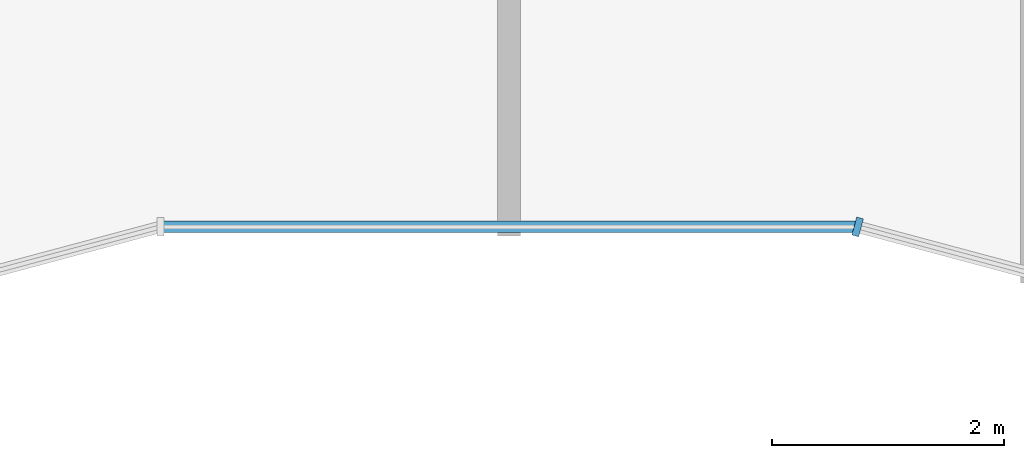
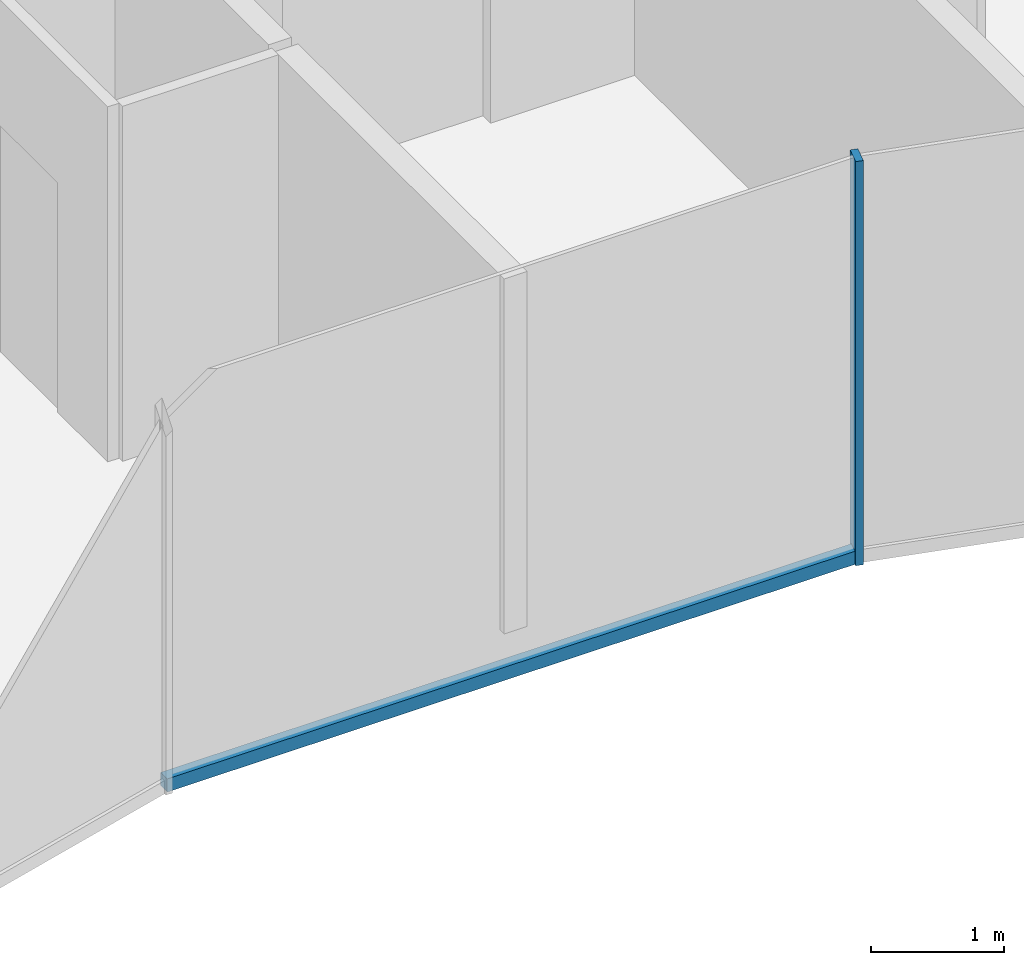
# One storey, part 3 of 13: 2 members, 2 elements without a shape of their own.
"""IFC4 building model written with IfcOpenShell, lengths in metres."""

import ifcopenshell
import ifcopenshell.guid

model = None  # the IFC model being written
_history = None  # IfcOwnerHistory: only IFC2X3 demands one
_inside = {}  # id of a spatial element -> (the spatial element, [elements in it])
_under = {}  # id of a project, library or spatial element -> (it, [spatial elements below it])
_declared = {}  # id of a project -> (the project, [libraries it declares])
_typed = {}  # id of a type object -> (the type object, [elements of that type])
_made_of = {}  # id of a material, layer set ... -> (it, [elements and type objects made of it])


def new_model(schema):
    """Start an empty IFC model of exactly this schema.

    Asked for "IFC4X3", IfcOpenShell would pick the latest addendum, in which some entities
    have other attributes; the version numbers below select the first issue.
    IFC2X3 requires an IfcOwnerHistory on every rooted entity: one is made here for all.
    """
    global model, _history
    if schema == "IFC4X3":
        model = ifcopenshell.file(schema_version=(4, 3, 0, 0))
    else:
        model = ifcopenshell.file(schema=schema)
    _inside.clear()
    _under.clear()
    _declared.clear()
    _typed.clear()
    _made_of.clear()
    _history = None
    if model.schema == "IFC2X3":
        org = make("IfcOrganization", Name="unknown")
        user = make(
            "IfcPersonAndOrganization",
            ThePerson=make("IfcPerson", FamilyName="unknown"),
            TheOrganization=org,
        )
        app = make(
            "IfcApplication",
            ApplicationDeveloper=org,
            Version="unknown",
            ApplicationFullName="unknown",
            ApplicationIdentifier="unknown",
        )
        _history = make(
            "IfcOwnerHistory",
            OwningUser=user,
            OwningApplication=app,
            ChangeAction="ADDED",
            CreationDate=0,
        )
    return model


def make(cls, **values):
    """One entity of the class cls with the attributes given. An attribute that is None is left unset."""
    return model.create_entity(
        cls, **{name: value for name, value in values.items() if value is not None}
    )


def rooted(cls, **values):
    """An entity with a GlobalId (a new one), such as an element, a storey or a relation."""
    return make(cls, GlobalId=ifcopenshell.guid.new(), OwnerHistory=_history, **values)


def si_unit(unit_type, name, prefix=None):
    """IfcSIUnit, for example si_unit("LENGTHUNIT", "METRE", prefix="MILLI")."""
    return make("IfcSIUnit", UnitType=unit_type, Prefix=prefix, Name=name)


def assignment(units):
    """IfcUnitAssignment: the units of a project."""
    return None if units is None else make("IfcUnitAssignment", Units=units)


def point(xyz):
    """IfcCartesianPoint."""
    return None if xyz is None else make("IfcCartesianPoint", Coordinates=xyz)


def direction(xyz):
    """IfcDirection."""
    return None if xyz is None else make("IfcDirection", DirectionRatios=xyz)


def frame(location, z_axis=None, x_axis=None):
    """IfcAxis2Placement3D, a coordinate frame: its origin and axes. An axis left out is left unset."""
    return make(
        "IfcAxis2Placement3D",
        Location=point(location),
        Axis=direction(z_axis),
        RefDirection=direction(x_axis),
    )


def frame_2d(location, x_axis=None):
    """IfcAxis2Placement2D, a coordinate frame in the plane: its origin and x axis."""
    return make(
        "IfcAxis2Placement2D", Location=point(location), RefDirection=direction(x_axis)
    )


def origin():
    """The frame at (0, 0, 0) with its axes left unset."""
    return frame((0.0, 0.0, 0.0))


def origin_2d():
    """The frame at (0, 0) in the plane with its x axis left unset."""
    return frame_2d((0.0, 0.0))


def place(relative_to, where):
    """IfcLocalPlacement: puts the frame where relative to a parent placement (None: the world)."""
    return make(
        "IfcLocalPlacement", PlacementRelTo=relative_to, RelativePlacement=where
    )


def context(
    kind, dimensions, precision=None, world=None, true_north=None, identifier=None
):
    """IfcGeometricRepresentationContext, for example the 3D "Model" context."""
    return make(
        "IfcGeometricRepresentationContext",
        ContextIdentifier=identifier,
        ContextType=kind,
        CoordinateSpaceDimension=dimensions,
        Precision=precision,
        WorldCoordinateSystem=world,
        TrueNorth=true_north,
    )


def subcontext(parent, identifier, kind, view, scale=None):
    """IfcGeometricRepresentationSubContext, for example "Body" below "Model"."""
    return make(
        "IfcGeometricRepresentationSubContext",
        ContextIdentifier=identifier,
        ContextType=kind,
        ParentContext=parent,
        TargetScale=scale,
        TargetView=view,
    )


def project(units=None, contexts=None):
    """IfcProject with its units and contexts."""
    return rooted(
        "IfcProject",
        Name="project",
        RepresentationContexts=contexts,
        UnitsInContext=assignment(units),
    )


def spatial(cls, under=None, at=None, **own):
    """A site, building, storey or space (cls), placed at a placement, below another one or the project."""
    s = rooted(cls, ObjectPlacement=at, **own)
    if under is not None:
        _under.setdefault(under.id(), (under, []))[1].append(s)
    return s


def profile(cls, at=None, kind="AREA", **sizes):
    """A parametric profile (cls). Its sizes go by their IFC names, for example OverallWidth=200.0."""
    return make(cls, ProfileType=kind, Position=at, **sizes)


def rectangle(**sizes):
    """IfcRectangleProfileDef."""
    return profile("IfcRectangleProfileDef", **sizes)


def extrude(swept, where, along, depth):
    """IfcExtrudedAreaSolid: the profile swept, set in the frame where, extruded along a direction by depth."""
    return make(
        "IfcExtrudedAreaSolid",
        SweptArea=swept,
        Position=where,
        ExtrudedDirection=direction(along),
        Depth=depth,
    )


def shape(context_of_items, identifier, shape_type, items):
    """IfcShapeRepresentation: the items that make up one representation, for example the "Body"."""
    return make(
        "IfcShapeRepresentation",
        ContextOfItems=context_of_items,
        RepresentationIdentifier=identifier,
        RepresentationType=shape_type,
        Items=items,
    )


def material(Name=None, Category=None):
    """IfcMaterial."""
    return make("IfcMaterial", Name=Name, Category=Category)


def layer(
    of_material, thickness, ventilated=None, Name=None, Category=None, Priority=None
):
    """IfcMaterialLayer: one layer of a wall or slab, of a material (None: an air gap)."""
    return make(
        "IfcMaterialLayer",
        Material=of_material,
        LayerThickness=thickness,
        IsVentilated=ventilated,
        Name=Name,
        Category=Category,
        Priority=Priority,
    )


def layer_set(layers, Name=None):
    """IfcMaterialLayerSet."""
    return make("IfcMaterialLayerSet", MaterialLayers=layers, LayerSetName=Name)


def material_profile(
    of_material, cross_section, Name=None, Category=None, Priority=None
):
    """IfcMaterialProfile: a cross section and its material."""
    return make(
        "IfcMaterialProfile",
        Name=Name,
        Material=of_material,
        Profile=cross_section,
        Priority=Priority,
        Category=Category,
    )


def profile_set(profiles, Name=None, composite=None):
    """IfcMaterialProfileSet."""
    return make(
        "IfcMaterialProfileSet",
        Name=Name,
        MaterialProfiles=profiles,
        CompositeProfile=composite,
    )


def made_of(thing, what):
    """Note that an element or type object is made of a material, layer set ...; save() writes the relation."""
    if what is not None:
        _made_of.setdefault(what.id(), (what, []))[1].append(thing)
    return thing


def type_object(cls, material=None, **own):
    """A type object (cls), such as IfcWallType, which elements share."""
    return made_of(rooted(cls, **own), material)


def element(
    cls,
    number,
    at=None,
    inside=None,
    cuts=None,
    type_object=None,
    material=None,
    context=None,
    identifier="Body",
    shape_type=None,
    held_by="IfcProductDefinitionShape",
    body=None,
    shapes=None,
    **own,
):
    """One element of the class cls, such as IfcWall. Its Tag is "e" and its number.

    at: its placement. inside: the storey or other place that contains it. cuts: it is an
    opening in that element (IfcRelVoidsElement). A single representation is given by context,
    identifier, shape_type and body (its items); several are given by shapes. held_by: the class
    of the entity that holds the representations. save() writes the other relations.
    """
    e = rooted(cls, Tag="e%d" % number, ObjectPlacement=at, **own)
    if body is not None:
        shapes = [shape(context, identifier, shape_type, body)]
    if shapes is not None:
        e.Representation = make(held_by, Representations=shapes)
    if inside is not None:
        _inside.setdefault(inside.id(), (inside, []))[1].append(e)
    if cuts is not None:
        rooted(
            "IfcRelVoidsElement", RelatingBuildingElement=cuts, RelatedOpeningElement=e
        )
    if type_object is not None:
        _typed.setdefault(type_object.id(), (type_object, []))[1].append(e)
    return made_of(e, material)


def aggregate(whole, parts):
    """IfcRelAggregates: a whole, such as a stair, and the parts it consists of."""
    return rooted("IfcRelAggregates", RelatingObject=whole, RelatedObjects=parts)


def save(model, path):
    """Write the relations noted so far, then the file.

    IfcRelAggregates (storeys below a building ...), IfcRelContainedInSpatialStructure (elements
    in a storey), IfcRelDefinesByType, IfcRelAssociatesMaterial and IfcRelDeclares: one each for
    every whole, place, type object, material and project.
    """
    for whole, parts in _under.values():
        aggregate(whole, parts)
    for where, things in _inside.values():
        rooted(
            "IfcRelContainedInSpatialStructure",
            RelatedElements=things,
            RelatingStructure=where,
        )
    for kind, things in _typed.values():
        rooted("IfcRelDefinesByType", RelatedObjects=things, RelatingType=kind)
    for what, things in _made_of.values():
        rooted("IfcRelAssociatesMaterial", RelatedObjects=things, RelatingMaterial=what)
    for by, libraries in _declared.values():
        rooted("IfcRelDeclares", RelatingContext=by, RelatedDefinitions=libraries)
    model.write(path)


model = new_model("IFC4")

# Units and contexts
model_context = context("Model", 3, precision=1e-05, world=origin(), true_north=direction((0.0, 1.0)))
body_context = subcontext(model_context, "Body", "Model", "MODEL_VIEW")
ifc_project = project(units=[si_unit("LENGTHUNIT", "METRE"), si_unit("AREAUNIT", "SQUARE_METRE"), si_unit("VOLUMEUNIT", "CUBIC_METRE"), si_unit("PLANEANGLEUNIT", "RADIAN"), si_unit("MASSUNIT", "GRAM", prefix="KILO")], contexts=[model_context])

# Site, building, storey
site_placement = place(None, origin())
site = spatial("IfcSite", under=ifc_project, at=site_placement, CompositionType="ELEMENT")
building_placement = place(site_placement, origin())
building = spatial("IfcBuilding", under=site, at=building_placement, Name="Plateau Cross Towers", CompositionType="ELEMENT")
storey_placement = place(building_placement, frame((0.0, 0.0, 229.39990234375)))
storey = spatial("IfcBuildingStorey", under=building, at=storey_placement, Name="L60", CompositionType="ELEMENT", Elevation=229.39990234375)

# Curtain wall, member
ifc_material_1 = material(Name="Dark low-iron glass", Category="glass")
ifc_layer = layer(ifc_material_1, 0.260009765625)
ifc_layer_set = layer_set([ifc_layer], Name="Dark low-iron glass")
curtain_wall_type = type_object("IfcCurtainWallType", Name="Curtain wall fluted unitised CW-A", PredefinedType="NOTDEFINED", material=ifc_layer_set)
curtain_wall_1_placement = place(storey_placement, origin())
curtain_wall_1 = element("IfcCurtainWall", 1, at=curtain_wall_1_placement, inside=storey, type_object=curtain_wall_type, Name="ENV/A/L60/A300_16", PredefinedType="NOTDEFINED")
ifc_material_2 = material(Name="Black anodised aluminium", Category="aluminium")
ifc_material_profile_1 = material_profile(ifc_material_2, rectangle(XDim=0.06005859375, YDim=0.159912109375, at=origin_2d()), Name="MULLION 60x160")
ifc_profile_set_1 = profile_set([ifc_material_profile_1], Name="Black anodised aluminium")
member_type_1 = type_object("IfcMemberType", Name="Mullion 60x160 fluted unitised", PredefinedType="MULLION", material=ifc_profile_set_1)
member_1_placement = place(storey_placement, frame((30.0, 1.60693359375, -0.449951171875), z_axis=(0.0, 0.0, 1.0), x_axis=(0.965957983404, -0.258699003279, 0.0)))
member_1 = element("IfcMember", 2, at=member_1_placement, type_object=member_type_1, Name="CW-A mullion 1", PredefinedType="MULLION", context=body_context, shape_type="SweptSolid", body=[
    extrude(rectangle(XDim=0.06005859375, YDim=0.159912109375, at=origin_2d()), origin(), (0.0, 0.0, 1.0), 3.699951171875),
])
aggregate(curtain_wall_1, [member_1])

curtain_wall_2_placement = place(storey_placement, origin())
curtain_wall_2 = element("IfcCurtainWall", 3, at=curtain_wall_2_placement, inside=storey, type_object=curtain_wall_type, Name="ENV/A/L60/A240_16", PredefinedType="NOTDEFINED")
ifc_material_profile_2 = material_profile(ifc_material_2, rectangle(XDim=0.10009765625, YDim=0.1201171875, at=origin_2d()), Name="TRANSOM 100x120")
ifc_profile_set_2 = profile_set([ifc_material_profile_2], Name="Black anodised aluminium")
member_type_2 = type_object("IfcMemberType", Name="Transom 100x120 fluted unitised", PredefinedType="USERDEFINED", material=ifc_profile_set_2)
member_2_placement = place(storey_placement, frame((24.0, 1.60693359375, -0.389892578125), z_axis=(1.0, 0.0, 0.0), x_axis=(0.0, 1.0, 0.0)))
member_2 = element("IfcMember", 4, at=member_2_placement, type_object=member_type_2, Name="CW-A transom", ObjectType="TRANSOM", PredefinedType="USERDEFINED", context=body_context, shape_type="SweptSolid", body=[
    extrude(rectangle(XDim=0.10009765625, YDim=0.1201171875, at=origin_2d()), origin(), (0.0, 0.0, 1.0), 6.0),
])
aggregate(curtain_wall_2, [member_2])

save(model, "model.ifc")
